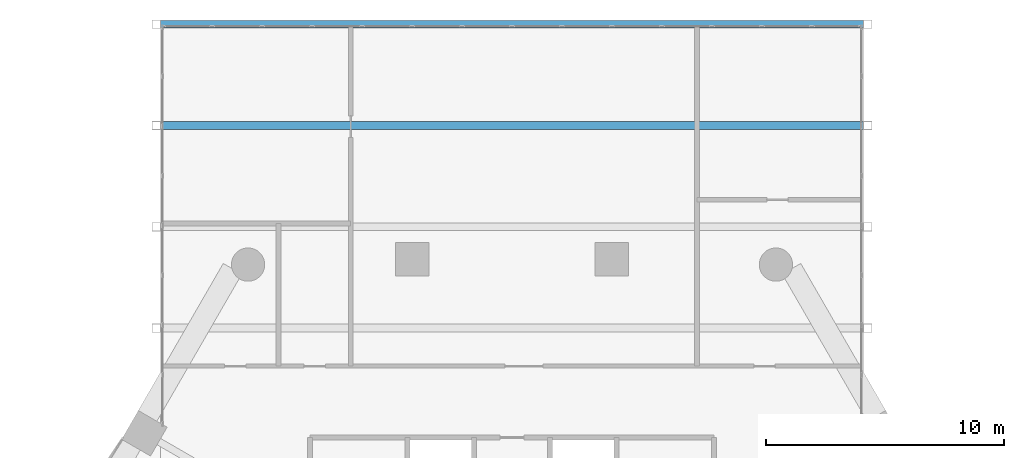
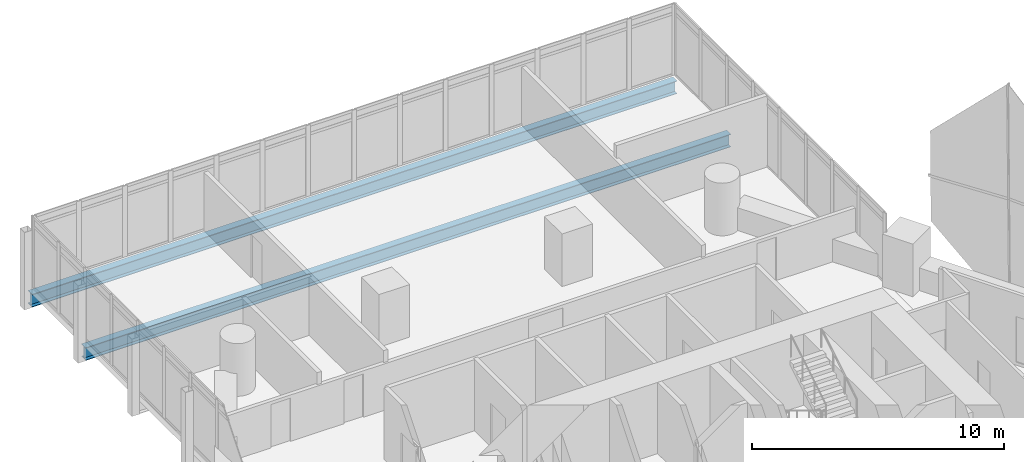
# One storey, part 17 of 35: 2 beams.
"""IFC4 building model written with IfcOpenShell, lengths in metres."""

from ifc_helpers import new_model, si_unit, direction, frame, origin, origin_2d, place, context, subcontext, project, spatial, i_section, extrude, material, material_profile, profile_set, type_object, element, save


model = new_model("IFC4")

# Units and contexts
model_context = context("Model", 3, precision=1e-05, world=origin(), true_north=direction((0.0, 1.0)))
body_context = subcontext(model_context, "Body", "Model", "MODEL_VIEW")
ifc_project = project(units=[si_unit("LENGTHUNIT", "METRE"), si_unit("AREAUNIT", "SQUARE_METRE"), si_unit("VOLUMEUNIT", "CUBIC_METRE"), si_unit("PLANEANGLEUNIT", "RADIAN"), si_unit("MASSUNIT", "GRAM", prefix="KILO")], contexts=[model_context])

# Site, building, storey
site_placement = place(None, origin())
site = spatial("IfcSite", under=ifc_project, at=site_placement, CompositionType="ELEMENT")
building_placement = place(site_placement, origin())
building = spatial("IfcBuilding", under=site, at=building_placement, Name="Ostrander Bayou Hotel Tower", CompositionType="ELEMENT")
storey_placement = place(building_placement, frame((0.0, 0.0, 69.25)))
storey = spatial("IfcBuildingStorey", under=building, at=storey_placement, Name="L17", CompositionType="ELEMENT", Elevation=69.25)

# Beams
ifc_material = material(Name="Steel ASTM A992", Category="steel")
ifc_material_profile = material_profile(ifc_material, i_section(OverallWidth=0.32763671875, OverallDepth=0.621826171875, WebThickness=0.015380859375, FlangeThickness=0.0244140625, at=origin_2d()))
ifc_profile_set = profile_set([ifc_material_profile], Name="Steel ASTM A992")
beam_type = type_object("IfcBeamType", Name="TF1 bar floor beam W24x131", PredefinedType="BEAM", material=ifc_profile_set)
for number, where, z_axis, x_axis, name in (
    (1, (-14.787109375, 30.986083984375, -0.61083984375), (1.0, 0.0, 0.0), (0.0, 1.0, 0.0), "TF1 SB1W L2-1"),
    (2, (-14.787109375, 26.723876953125, -0.61083984375), (1.0, 0.0, 0.0), (0.0, 1.0, 0.0), "TF1 SB1W L2-2"),
):
    element("IfcBeam", number, at=place(storey_placement, frame(where, z_axis=z_axis, x_axis=x_axis)), inside=storey, type_object=beam_type, Name=name, PredefinedType="BEAM", context=body_context, shape_type="SweptSolid", body=[
        extrude(i_section(OverallWidth=0.32763671875, OverallDepth=0.621826171875, WebThickness=0.015380859375, FlangeThickness=0.0244140625, at=origin_2d()), origin(), (0.0, 0.0, 1.0), 29.57421875),
    ])

save(model, "model.ifc")
